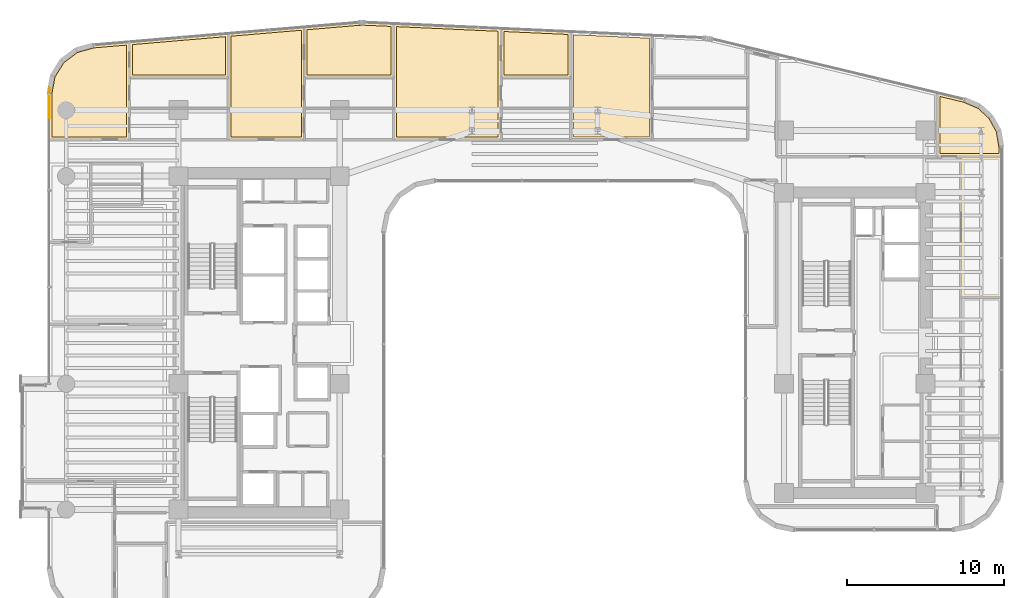
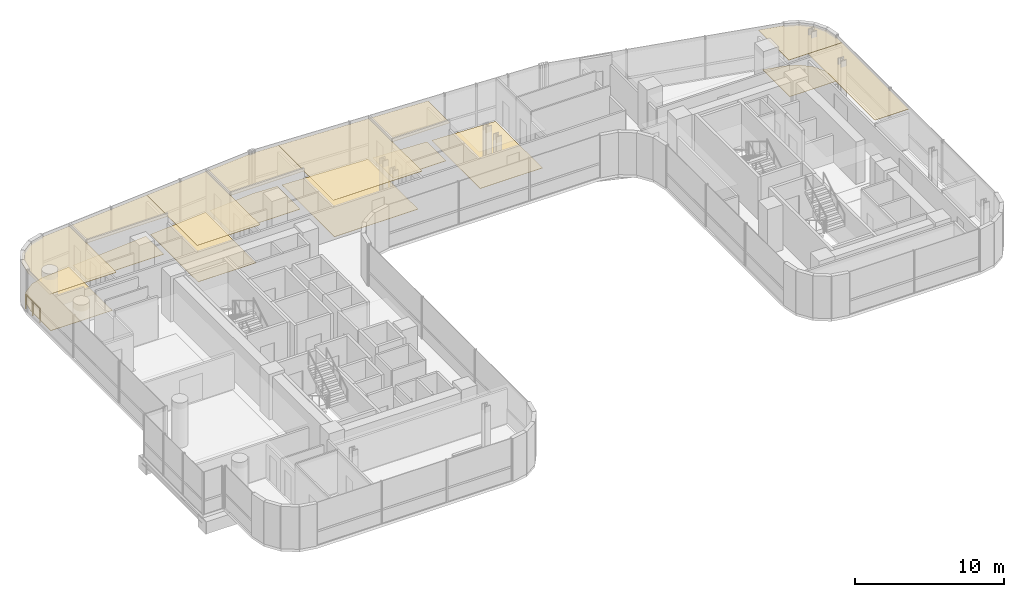
# One storey, part 37 of 38: 16 coverings, 1 railing.
"""IFC4 building model written with IfcOpenShell, lengths in metres."""

from ifc_helpers import new_model, si_unit, direction, frame, origin, origin_2d, place, context, subcontext, project, spatial, polyline, circle, outline, extrude, material, layer, layer_set, type_object, element, save


model = new_model("IFC4")

# Units and contexts
model_context = context("Model", 3, precision=1e-05, world=origin(), true_north=direction((0.0, 1.0)))
body_context = subcontext(model_context, "Body", "Model", "MODEL_VIEW")
ifc_project = project(units=[si_unit("LENGTHUNIT", "METRE"), si_unit("AREAUNIT", "SQUARE_METRE"), si_unit("VOLUMEUNIT", "CUBIC_METRE"), si_unit("PLANEANGLEUNIT", "RADIAN"), si_unit("MASSUNIT", "GRAM", prefix="KILO")], contexts=[model_context])

# Site, building, storey
site_placement = place(None, origin())
site = spatial("IfcSite", under=ifc_project, at=site_placement, CompositionType="ELEMENT")
building_placement = place(site_placement, origin())
building = spatial("IfcBuilding", under=site, at=building_placement, Name="Valdorenza Pilgrim Sanctuary Tower", CompositionType="ELEMENT")
storey_placement = place(building_placement, frame((0.0, 0.0, 131.60009765625)))
storey = spatial("IfcBuildingStorey", under=building, at=storey_placement, Name="L33", CompositionType="ELEMENT", Elevation=131.60009765625)

# Coverings
ifc_material_1 = material(Name="Micro-perforated acoustic mineral ceiling tile", Category="gypsum")
ifc_layer_1 = layer(ifc_material_1, 0.02490234375, Name="Micro-perforated acoustic mineral ceiling tile")
ifc_layer_set_1 = layer_set([ifc_layer_1], Name="Micro-perforated acoustic mineral ceiling tile")
covering_type_1 = type_object("IfcCoveringType", Name="COV-CLG-ACU", PredefinedType="CEILING", material=ifc_layer_set_1)
covering_1_placement = place(storey_placement, frame((0.0, 0.0, 3.159912109375)))
element("IfcCovering", 1, at=covering_1_placement, inside=storey, type_object=covering_type_1, Name="L33 North Sanctuary Apartment L33-N1 Bedroom Acoustic Ceiling", PredefinedType="CEILING", context=body_context, shape_type="SweptSolid", body=[
    extrude(outline(polyline([(-19.485107421875, 16.8701171875), (-19.485107421875, 16.868408203125), (-19.4853515625, 16.8671875), (-19.485595703125, 16.865478515625), (-19.486083984375, 16.8642578125), (-19.48681640625, 16.86279296875), (-19.487548828125, 16.86181640625), (-19.48828125, 16.860595703125), (-19.489501953125, 16.859375), (-19.490478515625, 16.8583984375), (-19.49169921875, 16.857421875), (-19.492919921875, 16.856689453125), (-19.494384765625, 16.856201171875), (-19.49560546875, 16.855712890625), (-19.4970703125, 16.855224609375), (-19.49853515625, 16.85498046875), (-19.5, 16.85498046875), (-25.77490234375, 16.85498046875), (-25.776611328125, 16.85498046875), (-25.77783203125, 16.855224609375), (-25.779296875, 16.855712890625), (-25.78076171875, 16.856201171875), (-25.781982421875, 16.856689453125), (-25.783203125, 16.857421875), (-25.784423828125, 16.8583984375), (-25.78564453125, 16.859375), (-25.78662109375, 16.860595703125), (-25.78759765625, 16.86181640625), (-25.7880859375, 16.86279296875), (-25.788818359375, 16.8642578125), (-25.789306640625, 16.865478515625), (-25.789794921875, 16.8671875), (-25.789794921875, 16.868408203125), (-25.7900390625, 16.8701171875), (-25.7900390625, 19.1337890625), (-25.789794921875, 19.13525390625), (-25.789794921875, 19.13671875), (-25.789306640625, 19.13818359375), (-25.788818359375, 19.139404296875), (-25.7880859375, 19.140869140625), (-25.787353515625, 19.14208984375), (-25.78662109375, 19.143310546875), (-25.785400390625, 19.144287109375), (-25.784423828125, 19.1455078125), (-25.783203125, 19.146240234375), (-25.781982421875, 19.147216796875), (-25.780517578125, 19.147705078125), (-25.779296875, 19.148193359375), (-25.777587890625, 19.1484375), (-25.7763671875, 19.148681640625), (-19.501220703125, 19.681884765625), (-19.5, 19.68212890625), (-19.5, 19.68212890625), (-19.49853515625, 19.681884765625), (-19.4970703125, 19.681884765625), (-19.49560546875, 19.681396484375), (-19.494384765625, 19.680908203125), (-19.492919921875, 19.680419921875), (-19.49169921875, 19.6796875), (-19.490478515625, 19.6787109375), (-19.489501953125, 19.677734375), (-19.48828125, 19.676513671875), (-19.487548828125, 19.67529296875), (-19.48681640625, 19.67431640625), (-19.486083984375, 19.6728515625), (-19.485595703125, 19.67138671875), (-19.4853515625, 19.669921875), (-19.485107421875, 19.668701171875), (-19.485107421875, 19.6669921875), (-19.485107421875, 16.8701171875)])), origin(), (0.0, 0.0, 1.0), 0.02490234375),
])
covering_2_placement = place(storey_placement, frame((0.0, 0.0, 3.159912109375)))
element("IfcCovering", 2, at=covering_2_placement, inside=storey, type_object=covering_type_1, Name="L33 North Sanctuary Apartment L33-N1 Living Room Acoustic Ceiling", PredefinedType="CEILING", context=body_context, shape_type="SweptSolid", body=[
    extrude(outline(polyline([(-30.889892578125, 12.905029296875), (-30.8916015625, 12.905029296875), (-30.892822265625, 12.9052734375), (-30.894287109375, 12.905517578125), (-30.895751953125, 12.906005859375), (-30.897216796875, 12.90673828125), (-30.898193359375, 12.907470703125), (-30.8994140625, 12.908447265625), (-30.900634765625, 12.909423828125), (-30.901611328125, 12.910400390625), (-30.902587890625, 12.91162109375), (-30.9033203125, 12.912841796875), (-30.90380859375, 12.914306640625), (-30.904296875, 12.91552734375), (-30.90478515625, 12.9169921875), (-30.90478515625, 12.91845703125), (-30.905029296875, 12.919921875), (-30.905029296875, 15.850341796875), (-30.90478515625, 15.8515625), (-30.90478515625, 15.85302734375), (-30.692138671875, 16.984130859375), (-30.69189453125, 16.985595703125), (-30.69140625, 16.98681640625), (-30.69091796875, 16.98828125), (-30.690185546875, 16.989501953125), (-30.0869140625, 17.95751953125), (-30.086181640625, 17.958740234375), (-30.085205078125, 17.959716796875), (-30.084228515625, 17.960693359375), (-30.083251953125, 17.961669921875), (-29.169677734375, 18.64453125), (-29.16845703125, 18.6455078125), (-29.167236328125, 18.64599609375), (-29.166015625, 18.646484375), (-29.164794921875, 18.647216796875), (-28.055419921875, 18.95458984375), (-28.05419921875, 18.955078125), (-28.052734375, 18.955078125), (-25.7783203125, 19.1484375), (-25.77685546875, 19.148681640625), (-25.775390625, 19.1484375), (-25.77392578125, 19.148193359375), (-25.7724609375, 19.14794921875), (-25.77099609375, 19.1474609375), (-25.769775390625, 19.146728515625), (-25.7685546875, 19.14599609375), (-25.767333984375, 19.14501953125), (-25.766357421875, 19.14404296875), (-25.765380859375, 19.14306640625), (-25.764404296875, 19.141845703125), (-25.763671875, 19.140625), (-25.76318359375, 19.139404296875), (-25.7626953125, 19.137939453125), (-25.76220703125, 19.136474609375), (-25.76220703125, 19.135009765625), (-25.761962890625, 19.133544921875), (-25.761962890625, 16.87548828125), (-25.76171875, 16.875), (-25.760986328125, 16.87353515625), (-25.760498046875, 16.872314453125), (-25.76025390625, 16.870849609375), (-25.760009765625, 16.869384765625), (-25.760009765625, 16.867919921875), (-25.760009765625, 12.919921875), (-25.760009765625, 12.91845703125), (-25.76025390625, 12.9169921875), (-25.760498046875, 12.91552734375), (-25.760986328125, 12.914306640625), (-25.76171875, 12.912841796875), (-25.762451171875, 12.91162109375), (-25.763427734375, 12.910400390625), (-25.764404296875, 12.909423828125), (-25.765380859375, 12.908447265625), (-25.7666015625, 12.907470703125), (-25.767822265625, 12.90673828125), (-25.769287109375, 12.906005859375), (-25.7705078125, 12.905517578125), (-25.772216796875, 12.9052734375), (-25.7734375, 12.905029296875), (-25.77490234375, 12.905029296875), (-30.889892578125, 12.905029296875)])), origin(), (0.0, 0.0, 1.0), 0.02490234375),
])
covering_3_placement = place(storey_placement, frame((0.0, 0.0, 3.159912109375)))
element("IfcCovering", 3, at=covering_3_placement, inside=storey, type_object=covering_type_1, Name="L33 North Sanctuary Apartment L33-N2 Bedroom Acoustic Ceiling", PredefinedType="CEILING", context=body_context, shape_type="SweptSolid", body=[
    extrude(outline(polyline([(-14.658447265625, 16.85498046875), (-14.659912109375, 16.85498046875), (-14.661376953125, 16.855224609375), (-14.662841796875, 16.855712890625), (-14.664306640625, 16.856201171875), (-14.66552734375, 16.856689453125), (-14.666748046875, 16.857421875), (-14.66796875, 16.8583984375), (-14.669189453125, 16.859375), (-14.670166015625, 16.860595703125), (-14.6708984375, 16.86181640625), (-14.671630859375, 16.86279296875), (-14.67236328125, 16.8642578125), (-14.6728515625, 16.865478515625), (-14.673095703125, 16.8671875), (-14.67333984375, 16.868408203125), (-14.673583984375, 16.8701171875), (-14.673583984375, 20.07861328125), (-14.67333984375, 20.080078125), (-14.673095703125, 20.08154296875), (-14.6728515625, 20.0830078125), (-14.67236328125, 20.08447265625), (-14.671630859375, 20.085693359375), (-14.6708984375, 20.0869140625), (-14.669921875, 20.088134765625), (-14.6689453125, 20.08935546875), (-14.66796875, 20.09033203125), (-14.666748046875, 20.09130859375), (-14.665283203125, 20.091796875), (-14.6640625, 20.092529296875), (-14.66259765625, 20.093017578125), (-14.6611328125, 20.093505859375), (-14.659912109375, 20.093505859375), (-11.20068359375, 20.3876953125), (-11.200439453125, 20.3876953125), (-11.099365234375, 20.39453125), (-11.098876953125, 20.39453125), (-10.998291015625, 20.398193359375), (-10.997802734375, 20.398193359375), (-10.897216796875, 20.398681640625), (-10.896728515625, 20.398681640625), (-10.79541015625, 20.3955078125), (-10.795166015625, 20.3955078125), (-8.974365234375, 20.312744140625), (-8.972900390625, 20.312744140625), (-8.971435546875, 20.3125), (-8.97021484375, 20.31201171875), (-8.96875, 20.3115234375), (-8.967529296875, 20.310791015625), (-8.96630859375, 20.31005859375), (-8.965087890625, 20.30908203125), (-8.964111328125, 20.30810546875), (-8.963134765625, 20.30712890625), (-8.96240234375, 20.305908203125), (-8.961669921875, 20.3046875), (-8.961181640625, 20.303466796875), (-8.960693359375, 20.302001953125), (-8.960205078125, 20.30078125), (-8.960205078125, 20.29931640625), (-8.9599609375, 20.2978515625), (-8.9599609375, 16.8701171875), (-8.960205078125, 16.868408203125), (-8.960205078125, 16.8671875), (-8.960693359375, 16.865478515625), (-8.961181640625, 16.8642578125), (-8.9619140625, 16.86279296875), (-8.96240234375, 16.86181640625), (-8.96337890625, 16.860595703125), (-8.96435546875, 16.859375), (-8.965576171875, 16.8583984375), (-8.966796875, 16.857421875), (-8.968017578125, 16.856689453125), (-8.96923828125, 16.856201171875), (-8.970703125, 16.855712890625), (-8.97216796875, 16.855224609375), (-8.973388671875, 16.85498046875), (-8.97509765625, 16.85498046875), (-14.658447265625, 16.85498046875)])), origin(), (0.0, 0.0, 1.0), 0.02490234375),
])
covering_4_placement = place(storey_placement, frame((0.0, 0.0, 3.159912109375)))
element("IfcCovering", 4, at=covering_4_placement, inside=storey, type_object=covering_type_1, Name="L33 North Sanctuary Apartment L33-N2 Living Room Acoustic Ceiling", PredefinedType="CEILING", context=body_context, shape_type="SweptSolid", body=[
    extrude(outline(polyline([(-19.512939453125, 14.918212890625), (-19.51318359375, 14.9189453125), (-19.51318359375, 14.92041015625), (-19.51318359375, 14.922119140625), (-19.51318359375, 14.923583984375), (-19.512939453125, 14.923828125), (-19.512939453125, 16.8662109375), (-19.51318359375, 16.866943359375), (-19.51318359375, 16.868408203125), (-19.51318359375, 16.8701171875), (-19.51318359375, 16.87158203125), (-19.512939453125, 16.871826171875), (-19.512939453125, 19.6669921875), (-19.512939453125, 19.6669921875), (-19.512939453125, 19.66796875), (-19.512939453125, 19.66943359375), (-19.5126953125, 19.6708984375), (-19.51220703125, 19.672119140625), (-19.51171875, 19.673583984375), (-19.510986328125, 19.6748046875), (-19.51025390625, 19.676025390625), (-19.50927734375, 19.677001953125), (-19.50830078125, 19.67822265625), (-19.507080078125, 19.67919921875), (-19.506103515625, 19.679931640625), (-19.5048828125, 19.6806640625), (-19.50341796875, 19.68115234375), (-19.502197265625, 19.681640625), (-19.500732421875, 19.681884765625), (-19.499267578125, 19.68212890625), (-14.661865234375, 20.093505859375), (-14.660400390625, 20.093505859375), (-14.658935546875, 20.093505859375), (-14.657470703125, 20.093017578125), (-14.656005859375, 20.0927734375), (-14.654541015625, 20.09228515625), (-14.6533203125, 20.091552734375), (-14.652099609375, 20.0908203125), (-14.65087890625, 20.090087890625), (-14.64990234375, 20.089111328125), (-14.64892578125, 20.087890625), (-14.64794921875, 20.086669921875), (-14.647216796875, 20.08544921875), (-14.646484375, 20.083984375), (-14.64599609375, 20.082763671875), (-14.645751953125, 20.081298828125), (-14.6455078125, 20.079833984375), (-14.6455078125, 20.078369140625), (-14.6455078125, 16.87548828125), (-14.645263671875, 16.875), (-14.64453125, 16.87353515625), (-14.64404296875, 16.872314453125), (-14.643798828125, 16.870849609375), (-14.6435546875, 16.869384765625), (-14.6435546875, 16.867919921875), (-14.6435546875, 12.919921875), (-14.6435546875, 12.91845703125), (-14.643798828125, 12.9169921875), (-14.64404296875, 12.91552734375), (-14.64453125, 12.914306640625), (-14.645263671875, 12.912841796875), (-14.64599609375, 12.91162109375), (-14.64697265625, 12.910400390625), (-14.64794921875, 12.909423828125), (-14.64892578125, 12.908447265625), (-14.650146484375, 12.907470703125), (-14.6513671875, 12.90673828125), (-14.65283203125, 12.906005859375), (-14.654052734375, 12.905517578125), (-14.655517578125, 12.9052734375), (-14.656982421875, 12.905029296875), (-14.658447265625, 12.905029296875), (-19.498046875, 12.905029296875), (-19.49951171875, 12.905029296875), (-19.5009765625, 12.9052734375), (-19.50244140625, 12.905517578125), (-19.503662109375, 12.906005859375), (-19.505126953125, 12.90673828125), (-19.50634765625, 12.907470703125), (-19.507568359375, 12.908447265625), (-19.508544921875, 12.909423828125), (-19.509521484375, 12.910400390625), (-19.510498046875, 12.91162109375), (-19.51123046875, 12.912841796875), (-19.511962890625, 12.914306640625), (-19.512451171875, 12.91552734375), (-19.5126953125, 12.9169921875), (-19.512939453125, 12.91845703125), (-19.512939453125, 12.919921875), (-19.512939453125, 14.918212890625)])), origin(), (0.0, 0.0, 1.0), 0.02490234375),
])
covering_5_placement = place(storey_placement, frame((0.0, 0.0, 3.159912109375)))
element("IfcCovering", 5, at=covering_5_placement, inside=storey, type_object=covering_type_1, Name="L33 North Sanctuary Apartment L33-N3 Bedroom Acoustic Ceiling", PredefinedType="CEILING", context=body_context, shape_type="SweptSolid", body=[
    extrude(outline(polyline([(-2.14453125, 16.85498046875), (-2.14599609375, 16.85498046875), (-2.1474609375, 16.855224609375), (-2.14892578125, 16.855712890625), (-2.150146484375, 16.856201171875), (-2.151611328125, 16.856689453125), (-2.15283203125, 16.857421875), (-2.154052734375, 16.8583984375), (-2.155029296875, 16.859375), (-2.156005859375, 16.860595703125), (-2.156982421875, 16.86181640625), (-2.15771484375, 16.86279296875), (-2.158447265625, 16.8642578125), (-2.158935546875, 16.865478515625), (-2.1591796875, 16.8671875), (-2.159423828125, 16.868408203125), (-2.159423828125, 16.8701171875), (-2.159423828125, 19.9873046875), (-2.159423828125, 19.989013671875), (-2.1591796875, 19.990478515625), (-2.15869140625, 19.99169921875), (-2.158203125, 19.9931640625), (-2.15771484375, 19.99462890625), (-2.15673828125, 19.995849609375), (-2.156005859375, 19.9970703125), (-2.15478515625, 19.998291015625), (-2.15380859375, 19.999267578125), (-2.152587890625, 20.0), (-2.151123046875, 20.000732421875), (-2.14990234375, 20.00146484375), (-2.148193359375, 20.001708984375), (-2.146728515625, 20.002197265625), (-2.145263671875, 20.002197265625), (-2.143798828125, 20.002197265625), (2.28759765625, 19.80078125), (2.2890625, 19.80078125), (2.29052734375, 19.800537109375), (2.2919921875, 19.800048828125), (2.293212890625, 19.799560546875), (2.29443359375, 19.798828125), (2.295654296875, 19.798095703125), (2.296875, 19.79736328125), (2.2978515625, 19.79638671875), (2.298828125, 19.795166015625), (2.299560546875, 19.7939453125), (2.30029296875, 19.792724609375), (2.30078125, 19.79150390625), (2.301513671875, 19.7900390625), (2.3017578125, 19.788818359375), (2.302001953125, 19.787353515625), (2.302001953125, 19.785888671875), (2.302001953125, 16.8701171875), (2.302001953125, 16.868408203125), (2.3017578125, 16.8671875), (2.301513671875, 16.865478515625), (2.30078125, 16.8642578125), (2.30029296875, 16.86279296875), (2.299560546875, 16.86181640625), (2.298583984375, 16.860595703125), (2.297607421875, 16.859375), (2.29638671875, 16.8583984375), (2.29541015625, 16.857421875), (2.294189453125, 16.856689453125), (2.292724609375, 16.856201171875), (2.29150390625, 16.855712890625), (2.289794921875, 16.855224609375), (2.28857421875, 16.85498046875), (2.287109375, 16.85498046875), (-2.14453125, 16.85498046875)])), origin(), (0.0, 0.0, 1.0), 0.02490234375),
])
covering_6_placement = place(storey_placement, frame((0.0, 0.0, 3.159912109375)))
element("IfcCovering", 6, at=covering_6_placement, inside=storey, type_object=covering_type_1, Name="L33 North Sanctuary Apartment L33-N3 Living Room Acoustic Ceiling", PredefinedType="CEILING", context=body_context, shape_type="SweptSolid", body=[
    extrude(outline(polyline([(-8.988037109375, 14.918212890625), (-8.988037109375, 14.9189453125), (-8.98828125, 14.92041015625), (-8.98828125, 14.922119140625), (-8.988037109375, 14.923583984375), (-8.988037109375, 14.923828125), (-8.988037109375, 16.8662109375), (-8.988037109375, 16.866943359375), (-8.98828125, 16.868408203125), (-8.98828125, 16.8701171875), (-8.988037109375, 16.87158203125), (-8.988037109375, 16.871826171875), (-8.988037109375, 20.297607421875), (-8.98779296875, 20.29931640625), (-8.98779296875, 20.30078125), (-8.9873046875, 20.30224609375), (-8.98681640625, 20.3037109375), (-8.986083984375, 20.304931640625), (-8.9853515625, 20.306396484375), (-8.984375, 20.3076171875), (-8.9833984375, 20.30859375), (-8.982177734375, 20.3095703125), (-8.98095703125, 20.310302734375), (-8.979736328125, 20.311279296875), (-8.978271484375, 20.311767578125), (-8.976806640625, 20.312255859375), (-8.975341796875, 20.3125), (-8.973876953125, 20.312744140625), (-8.972412109375, 20.312744140625), (-2.145751953125, 20.00244140625), (-2.144287109375, 20.002197265625), (-2.14306640625, 20.001953125), (-2.1416015625, 20.001708984375), (-2.140380859375, 20.001220703125), (-2.138916015625, 20.00048828125), (-2.1376953125, 19.999755859375), (-2.13671875, 19.998779296875), (-2.1357421875, 19.997802734375), (-2.134765625, 19.99658203125), (-2.1337890625, 19.99560546875), (-2.13330078125, 19.994384765625), (-2.132568359375, 19.992919921875), (-2.132080078125, 19.99169921875), (-2.1318359375, 19.990234375), (-2.131591796875, 19.989013671875), (-2.131591796875, 19.9873046875), (-2.131591796875, 16.87548828125), (-2.131103515625, 16.875), (-2.130615234375, 16.87353515625), (-2.130126953125, 16.872314453125), (-2.1298828125, 16.870849609375), (-2.129638671875, 16.869384765625), (-2.12939453125, 16.867919921875), (-2.12939453125, 12.919921875), (-2.129638671875, 12.91845703125), (-2.1298828125, 12.9169921875), (-2.130126953125, 12.91552734375), (-2.130615234375, 12.914306640625), (-2.13134765625, 12.912841796875), (-2.132080078125, 12.91162109375), (-2.1328125, 12.910400390625), (-2.1337890625, 12.909423828125), (-2.135009765625, 12.908447265625), (-2.13623046875, 12.907470703125), (-2.137451171875, 12.90673828125), (-2.138916015625, 12.906005859375), (-2.14013671875, 12.905517578125), (-2.1416015625, 12.9052734375), (-2.14306640625, 12.905029296875), (-2.14453125, 12.905029296875), (-8.972900390625, 12.905029296875), (-8.974609375, 12.905029296875), (-8.975830078125, 12.9052734375), (-8.977294921875, 12.905517578125), (-8.978759765625, 12.906005859375), (-8.97998046875, 12.90673828125), (-8.981201171875, 12.907470703125), (-8.982421875, 12.908447265625), (-8.983642578125, 12.909423828125), (-8.984619140625, 12.910400390625), (-8.985595703125, 12.91162109375), (-8.986083984375, 12.912841796875), (-8.98681640625, 12.914306640625), (-8.9873046875, 12.91552734375), (-8.98779296875, 12.9169921875), (-8.98779296875, 12.91845703125), (-8.988037109375, 12.919921875), (-8.988037109375, 14.918212890625)])), origin(), (0.0, 0.0, 1.0), 0.02490234375),
])
covering_7_placement = place(storey_placement, frame((0.0, 0.0, 3.159912109375)))
element("IfcCovering", 7, at=covering_7_placement, inside=storey, type_object=covering_type_1, Name="L33 East Wing Reference Library L33-BNE Acoustic Ceiling", PredefinedType="CEILING", context=body_context, shape_type="SweptSolid", body=[
    extrude(outline(polyline([(27.313720703125, 15.49755859375), (27.31494140625, 15.4970703125), (27.316162109375, 15.49658203125), (28.269775390625, 15.09130859375), (28.271240234375, 15.090576171875), (28.272705078125, 15.089599609375), (28.27392578125, 15.088623046875), (29.034912109375, 14.3994140625), (29.035888671875, 14.398193359375), (29.037109375, 14.39697265625), (29.037841796875, 14.3955078125), (29.531005859375, 13.4951171875), (29.53173828125, 13.49365234375), (29.5322265625, 13.4921875), (29.53271484375, 13.490478515625), (29.704833984375, 12.468994140625), (29.704833984375, 12.467529296875), (29.705078125, 12.46630859375), (29.705078125, 11.85009765625), (29.704833984375, 11.848388671875), (29.70458984375, 11.84716796875), (29.704345703125, 11.845703125), (29.703857421875, 11.84423828125), (29.703125, 11.843017578125), (29.702392578125, 11.841796875), (29.70166015625, 11.840576171875), (29.70068359375, 11.83935546875), (29.699462890625, 11.83837890625), (29.6982421875, 11.83740234375), (29.697021484375, 11.8369140625), (29.69580078125, 11.836181640625), (29.6943359375, 11.835693359375), (29.69287109375, 11.835205078125), (29.69140625, 11.835205078125), (29.68994140625, 11.8349609375), (25.60205078125, 11.8349609375), (25.6005859375, 11.835205078125), (25.59912109375, 11.835205078125), (25.59765625, 11.835693359375), (25.59619140625, 11.836181640625), (25.594970703125, 11.8369140625), (25.59375, 11.83740234375), (25.592529296875, 11.83837890625), (25.59130859375, 11.83935546875), (25.59033203125, 11.840576171875), (25.589599609375, 11.841796875), (25.5888671875, 11.843017578125), (25.588134765625, 11.84423828125), (25.587646484375, 11.845703125), (25.58740234375, 11.84716796875), (25.587158203125, 11.848388671875), (25.5869140625, 11.85009765625), (25.5869140625, 15.891845703125), (25.587158203125, 15.893310546875), (25.58740234375, 15.894775390625), (25.587646484375, 15.896240234375), (25.588134765625, 15.897705078125), (25.5888671875, 15.89892578125), (25.589599609375, 15.900390625), (25.590576171875, 15.901611328125), (25.591552734375, 15.902587890625), (25.5927734375, 15.903564453125), (25.593994140625, 15.904296875), (25.59521484375, 15.9052734375), (25.5966796875, 15.90576171875), (25.597900390625, 15.90625), (25.599609375, 15.906494140625), (25.60107421875, 15.90673828125), (25.6025390625, 15.90673828125), (25.60400390625, 15.906494140625), (25.60546875, 15.906494140625), (27.313720703125, 15.49755859375)])), origin(), (0.0, 0.0, 1.0), 0.02490234375),
])
covering_8_placement = place(storey_placement, frame((0.0, 0.0, 3.159912109375)))
element("IfcCovering", 8, at=covering_8_placement, inside=storey, type_object=covering_type_1, Name="L33 East Reading Lounge L33-EB3 Acoustic Ceiling", PredefinedType="CEILING", context=body_context, shape_type="SweptSolid", body=[
    extrude(outline(polyline([(27.0849609375, 11.847900390625), (27.085205078125, 11.849609375), (27.085205078125, 11.850830078125), (27.085693359375, 11.852294921875), (27.086181640625, 11.853759765625), (27.0869140625, 11.85498046875), (27.08740234375, 11.856201171875), (27.08837890625, 11.857421875), (27.08935546875, 11.858642578125), (27.090576171875, 11.859619140625), (27.091796875, 11.860595703125), (27.093017578125, 11.861083984375), (27.09423828125, 11.86181640625), (27.095703125, 11.8623046875), (27.09716796875, 11.86279296875), (27.098388671875, 11.86279296875), (27.10009765625, 11.863037109375), (29.68994140625, 11.863037109375), (29.69140625, 11.86279296875), (29.69287109375, 11.86279296875), (29.6943359375, 11.8623046875), (29.69580078125, 11.86181640625), (29.697021484375, 11.861083984375), (29.6982421875, 11.860595703125), (29.699462890625, 11.859619140625), (29.70068359375, 11.858642578125), (29.70166015625, 11.857421875), (29.702392578125, 11.856201171875), (29.703125, 11.85498046875), (29.703857421875, 11.853759765625), (29.704345703125, 11.852294921875), (29.70458984375, 11.850830078125), (29.704833984375, 11.849609375), (29.705078125, 11.847900390625), (29.705078125, 2.902099609375), (29.704833984375, 2.900390625), (29.70458984375, 2.899169921875), (29.704345703125, 2.897705078125), (29.703857421875, 2.896240234375), (29.703125, 2.89501953125), (29.702392578125, 2.893798828125), (29.70166015625, 2.892578125), (29.70068359375, 2.891357421875), (29.699462890625, 2.890380859375), (29.6982421875, 2.889404296875), (29.697021484375, 2.888916015625), (29.69580078125, 2.88818359375), (29.6943359375, 2.8876953125), (29.69287109375, 2.88720703125), (29.69140625, 2.88720703125), (29.68994140625, 2.886962890625), (27.10009765625, 2.886962890625), (27.098388671875, 2.88720703125), (27.09716796875, 2.88720703125), (27.095703125, 2.8876953125), (27.09423828125, 2.88818359375), (27.093017578125, 2.888916015625), (27.091796875, 2.889404296875), (27.090576171875, 2.890380859375), (27.08935546875, 2.891357421875), (27.08837890625, 2.892578125), (27.08740234375, 2.893798828125), (27.0869140625, 2.89501953125), (27.086181640625, 2.896240234375), (27.085693359375, 2.897705078125), (27.085205078125, 2.899169921875), (27.085205078125, 2.900390625), (27.0849609375, 2.902099609375), (27.0849609375, 11.847900390625)])), origin(), (0.0, 0.0, 1.0), 0.02490234375),
])
ifc_material_2 = material(Name="Engineered European oak timber flooring", Category="wood")
ifc_layer_2 = layer(ifc_material_2, 0.02197265625, Name="Engineered European oak timber flooring")
ifc_layer_set_2 = layer_set([ifc_layer_2], Name="Engineered European oak timber flooring")
covering_type_2 = type_object("IfcCoveringType", Name="COV-FLR-OAK", PredefinedType="FLOORING", material=ifc_layer_set_2)
covering_9_placement = place(storey_placement, origin())
element("IfcCovering", 9, at=covering_9_placement, inside=storey, type_object=covering_type_2, Name="L33 North Sanctuary Apartment L33-N1 Bedroom Flooring", PredefinedType="FLOORING", context=body_context, shape_type="SweptSolid", body=[
    extrude(outline(polyline([(-19.679931640625, 17.050048828125), (-25.594970703125, 17.050048828125), (-25.594970703125, 18.968505859375), (-19.68017578125, 19.47119140625), (-19.679931640625, 17.050048828125)])), origin(), (0.0, 0.0, 1.0), 0.02490234375),
])
covering_10_placement = place(storey_placement, origin())
element("IfcCovering", 10, at=covering_10_placement, inside=storey, type_object=covering_type_2, Name="L33 North Sanctuary Apartment L33-N1 Living Room Flooring", PredefinedType="FLOORING", context=body_context, shape_type="SweptSolid", body=[
    extrude(outline(polyline([(-30.7099609375, 13.10009765625), (-30.7099609375, 15.83349609375), (-30.5068359375, 16.9150390625), (-29.939208984375, 17.82568359375), (-29.080078125, 18.46826171875), (-28.01953125, 18.76220703125), (-25.95703125, 18.9375), (-25.95703125, 16.8701171875), (-25.955078125, 13.10009765625), (-30.7099609375, 13.10009765625)])), origin(), (0.0, 0.0, 1.0), 0.02490234375),
])
covering_11_placement = place(storey_placement, origin())
element("IfcCovering", 11, at=covering_11_placement, inside=storey, type_object=covering_type_2, Name="L33 North Sanctuary Apartment L33-N2 Bedroom Flooring", PredefinedType="FLOORING", context=body_context, shape_type="SweptSolid", body=[
    extrude(outline(polyline([(-14.478515625, 17.050048828125), (-14.478515625, 19.913330078125), (-11.185546875, 20.193115234375), (-11.0888671875, 20.199951171875), (-10.994140625, 20.203125), (-10.8994140625, 20.20361328125), (-10.802490234375, 20.20068359375), (-9.155029296875, 20.125732421875), (-9.155029296875, 17.050048828125), (-14.478515625, 17.050048828125)])), origin(), (0.0, 0.0, 1.0), 0.02490234375),
])
covering_12_placement = place(storey_placement, origin())
element("IfcCovering", 12, at=covering_12_placement, inside=storey, type_object=covering_type_2, Name="L33 North Sanctuary Apartment L33-N2 Living Room Flooring", PredefinedType="FLOORING", context=body_context, shape_type="SweptSolid", body=[
    extrude(outline(polyline([(-19.318115234375, 14.921630859375), (-19.318115234375, 14.922119140625), (-19.318115234375, 16.867919921875), (-19.318115234375, 16.868896484375), (-19.318115234375, 16.86962890625), (-19.318115234375, 16.8701171875), (-19.318115234375, 19.501708984375), (-14.840576171875, 19.882568359375), (-14.840576171875, 16.8701171875), (-14.838623046875, 13.10009765625), (-19.318115234375, 13.10009765625), (-19.318115234375, 14.919921875), (-19.318115234375, 14.9208984375), (-19.318115234375, 14.921630859375)])), origin(), (0.0, 0.0, 1.0), 0.02490234375),
])
covering_13_placement = place(storey_placement, origin())
element("IfcCovering", 13, at=covering_13_placement, inside=storey, type_object=covering_type_2, Name="L33 North Sanctuary Apartment L33-N3 Bedroom Flooring", PredefinedType="FLOORING", context=body_context, shape_type="SweptSolid", body=[
    extrude(outline(polyline([(-1.964599609375, 17.050048828125), (-1.964599609375, 19.799072265625), (2.10693359375, 19.614013671875), (2.10693359375, 17.050048828125), (-1.964599609375, 17.050048828125)])), origin(), (0.0, 0.0, 1.0), 0.02490234375),
])
covering_14_placement = place(storey_placement, origin())
element("IfcCovering", 14, at=covering_14_placement, inside=storey, type_object=covering_type_2, Name="L33 North Sanctuary Apartment L33-N3 Living Room Flooring", PredefinedType="FLOORING", context=body_context, shape_type="SweptSolid", body=[
    extrude(outline(polyline([(-8.79296875, 14.921630859375), (-8.79296875, 14.922119140625), (-8.79296875, 16.867919921875), (-8.79296875, 16.868896484375), (-8.79296875, 16.86962890625), (-8.79296875, 16.8701171875), (-8.79296875, 20.109375), (-2.326416015625, 19.8154296875), (-2.326416015625, 16.8701171875), (-2.32470703125, 13.10009765625), (-8.79296875, 13.10009765625), (-8.79296875, 14.919921875), (-8.79296875, 14.9208984375), (-8.79296875, 14.921630859375)])), origin(), (0.0, 0.0, 1.0), 0.02490234375),
])
covering_15_placement = place(storey_placement, origin())
element("IfcCovering", 15, at=covering_15_placement, inside=storey, type_object=covering_type_2, Name="L33 North Sanctuary Apartment L33-N4 Living Room Flooring", PredefinedType="FLOORING", context=body_context, shape_type="SweptSolid", body=[
    extrude(outline(polyline([(2.468994140625, 14.921630859375), (2.468994140625, 14.922119140625), (2.468994140625, 16.867919921875), (2.468994140625, 16.868896484375), (2.468994140625, 16.86962890625), (2.468994140625, 16.8701171875), (2.468994140625, 19.597412109375), (7.285888671875, 19.37841796875), (7.285888671875, 16.8701171875), (7.287841796875, 13.10009765625), (2.468994140625, 13.10009765625), (2.468994140625, 14.919921875), (2.468994140625, 14.9208984375), (2.468994140625, 14.921630859375)])), origin(), (0.0, 0.0, 1.0), 0.02490234375),
])
ifc_material_3 = material(Name="Honed travertine stone flooring", Category="masonry")
ifc_layer_3 = layer(ifc_material_3, 0.030029296875, Name="Honed travertine stone flooring")
ifc_layer_set_3 = layer_set([ifc_layer_3], Name="Honed travertine stone flooring")
covering_type_3 = type_object("IfcCoveringType", Name="COV-FLR-TRV", PredefinedType="FLOORING", material=ifc_layer_set_3)
covering_16_placement = place(storey_placement, origin())
element("IfcCovering", 16, at=covering_16_placement, inside=storey, type_object=covering_type_3, Name="L33 East Wing Reference Library L33-BNE Flooring", PredefinedType="FLOORING", context=body_context, shape_type="SweptSolid", body=[
    extrude(outline(polyline([(27.25390625, 15.311279296875), (28.16552734375, 14.923583984375), (28.88134765625, 14.275390625), (29.345458984375, 13.427978515625), (29.510009765625, 12.451416015625), (29.510009765625, 12.030029296875), (25.781982421875, 12.030029296875), (25.781982421875, 15.66357421875), (27.25390625, 15.311279296875)])), origin(), (0.0, 0.0, 1.0), 0.02490234375),
])

# Railing
ifc_material_4 = material(Name="Stainless steel Grade 316", Category="steel")
railing_type = type_object("IfcRailingType", Name="RLG-GRD-1120", PredefinedType="GUARDRAIL", material=ifc_material_4)
railing_placement = place(storey_placement, frame((-30.860107421875, 14.300048828125, 0.0)))
element("IfcRailing", 17, at=railing_placement, inside=storey, type_object=railing_type, Name="L33 NW Tangent Safety Sill Guard", PredefinedType="GUARDRAIL", context=body_context, shape_type="SweptSolid", body=[
    extrude(circle(Radius=0.02392578125, at=origin_2d()), frame((0.0, 0.0, 1.17578125), z_axis=(0.0, 1.0, 0.0), x_axis=(-1.0, 0.0, 0.0)), (0.0, 0.0, 1.0), 1.89990234375),
    extrude(circle(Radius=0.02099609375, at=origin_2d()), origin(), (0.0, 0.0, 1.0), 1.15185546875),
    extrude(circle(Radius=0.02099609375, at=origin_2d()), frame((0.0, 0.949951171875, 0.0)), (0.0, 0.0, 1.0), 1.15185546875),
    extrude(circle(Radius=0.02099609375, at=origin_2d()), frame((0.0, 1.89990234375, 0.0)), (0.0, 0.0, 1.0), 1.15185546875),
])

save(model, "model.ifc")
